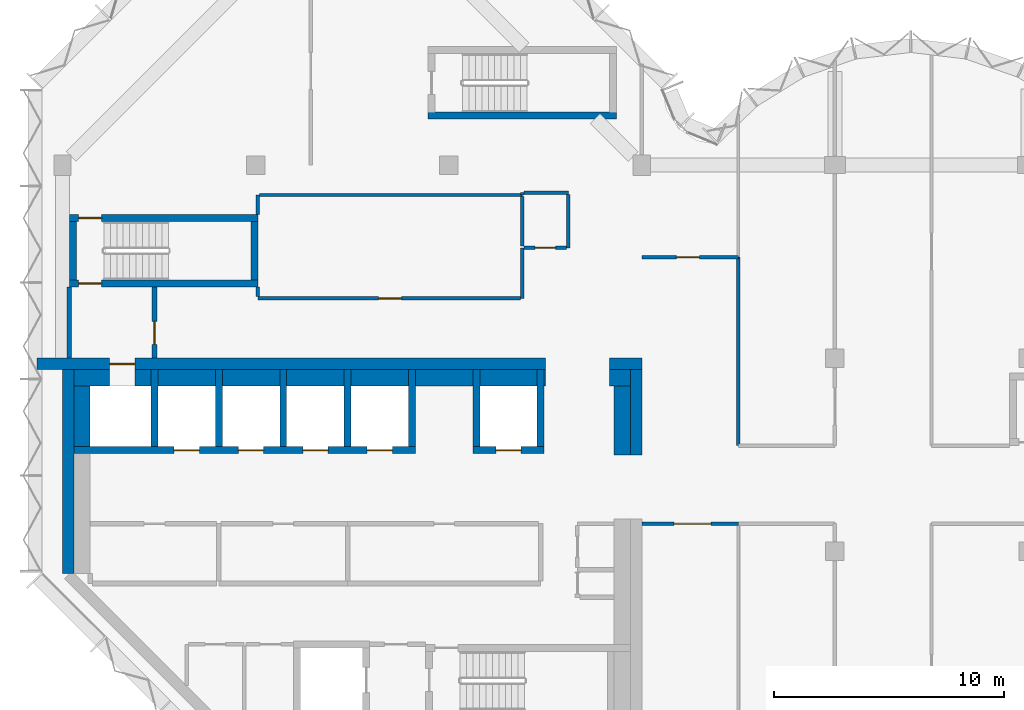
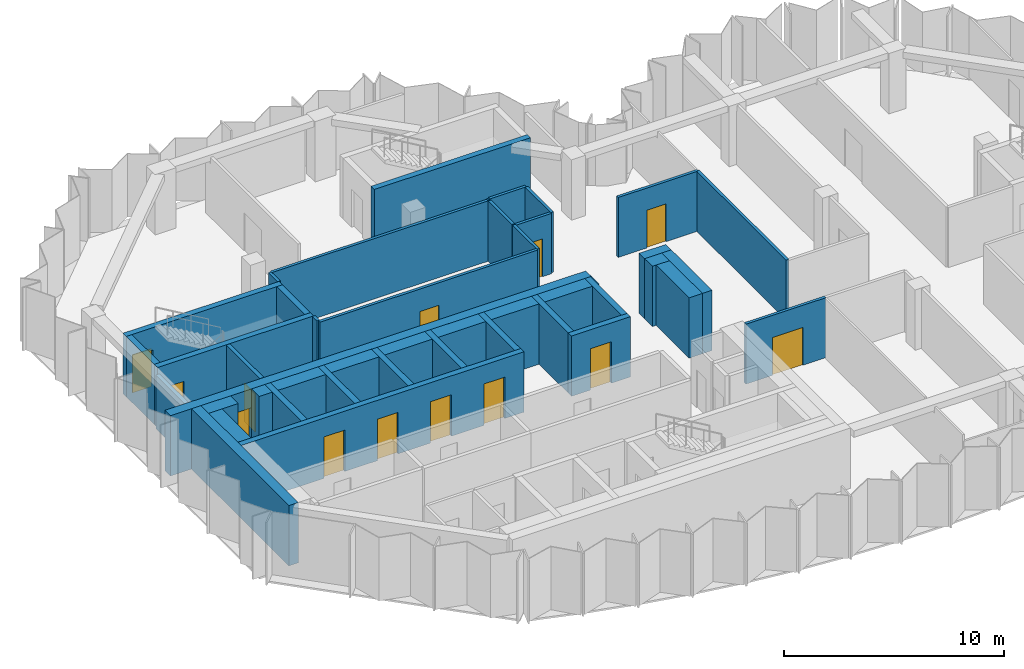
# One storey, part 5 of 9: 45 walls, 13 doors, 13 openings.
"""IFC4 building model written with IfcOpenShell, lengths in metres."""

import ifcopenshell
import ifcopenshell.guid

model = None  # the IFC model being written
_history = None  # IfcOwnerHistory: only IFC2X3 demands one
_inside = {}  # id of a spatial element -> (the spatial element, [elements in it])
_under = {}  # id of a project, library or spatial element -> (it, [spatial elements below it])
_declared = {}  # id of a project -> (the project, [libraries it declares])
_typed = {}  # id of a type object -> (the type object, [elements of that type])
_made_of = {}  # id of a material, layer set ... -> (it, [elements and type objects made of it])


def new_model(schema):
    """Start an empty IFC model of exactly this schema.

    Asked for "IFC4X3", IfcOpenShell would pick the latest addendum, in which some entities
    have other attributes; the version numbers below select the first issue.
    IFC2X3 requires an IfcOwnerHistory on every rooted entity: one is made here for all.
    """
    global model, _history
    if schema == "IFC4X3":
        model = ifcopenshell.file(schema_version=(4, 3, 0, 0))
    else:
        model = ifcopenshell.file(schema=schema)
    _inside.clear()
    _under.clear()
    _declared.clear()
    _typed.clear()
    _made_of.clear()
    _history = None
    if model.schema == "IFC2X3":
        org = make("IfcOrganization", Name="unknown")
        user = make(
            "IfcPersonAndOrganization",
            ThePerson=make("IfcPerson", FamilyName="unknown"),
            TheOrganization=org,
        )
        app = make(
            "IfcApplication",
            ApplicationDeveloper=org,
            Version="unknown",
            ApplicationFullName="unknown",
            ApplicationIdentifier="unknown",
        )
        _history = make(
            "IfcOwnerHistory",
            OwningUser=user,
            OwningApplication=app,
            ChangeAction="ADDED",
            CreationDate=0,
        )
    return model


def make(cls, **values):
    """One entity of the class cls with the attributes given. An attribute that is None is left unset."""
    return model.create_entity(
        cls, **{name: value for name, value in values.items() if value is not None}
    )


def rooted(cls, **values):
    """An entity with a GlobalId (a new one), such as an element, a storey or a relation."""
    return make(cls, GlobalId=ifcopenshell.guid.new(), OwnerHistory=_history, **values)


def si_unit(unit_type, name, prefix=None):
    """IfcSIUnit, for example si_unit("LENGTHUNIT", "METRE", prefix="MILLI")."""
    return make("IfcSIUnit", UnitType=unit_type, Prefix=prefix, Name=name)


def assignment(units):
    """IfcUnitAssignment: the units of a project."""
    return None if units is None else make("IfcUnitAssignment", Units=units)


def point(xyz):
    """IfcCartesianPoint."""
    return None if xyz is None else make("IfcCartesianPoint", Coordinates=xyz)


def direction(xyz):
    """IfcDirection."""
    return None if xyz is None else make("IfcDirection", DirectionRatios=xyz)


def frame(location, z_axis=None, x_axis=None):
    """IfcAxis2Placement3D, a coordinate frame: its origin and axes. An axis left out is left unset."""
    return make(
        "IfcAxis2Placement3D",
        Location=point(location),
        Axis=direction(z_axis),
        RefDirection=direction(x_axis),
    )


def frame_2d(location, x_axis=None):
    """IfcAxis2Placement2D, a coordinate frame in the plane: its origin and x axis."""
    return make(
        "IfcAxis2Placement2D", Location=point(location), RefDirection=direction(x_axis)
    )


def origin():
    """The frame at (0, 0, 0) with its axes left unset."""
    return frame((0.0, 0.0, 0.0))


def place(relative_to, where):
    """IfcLocalPlacement: puts the frame where relative to a parent placement (None: the world)."""
    return make(
        "IfcLocalPlacement", PlacementRelTo=relative_to, RelativePlacement=where
    )


def context(
    kind, dimensions, precision=None, world=None, true_north=None, identifier=None
):
    """IfcGeometricRepresentationContext, for example the 3D "Model" context."""
    return make(
        "IfcGeometricRepresentationContext",
        ContextIdentifier=identifier,
        ContextType=kind,
        CoordinateSpaceDimension=dimensions,
        Precision=precision,
        WorldCoordinateSystem=world,
        TrueNorth=true_north,
    )


def subcontext(parent, identifier, kind, view, scale=None):
    """IfcGeometricRepresentationSubContext, for example "Body" below "Model"."""
    return make(
        "IfcGeometricRepresentationSubContext",
        ContextIdentifier=identifier,
        ContextType=kind,
        ParentContext=parent,
        TargetScale=scale,
        TargetView=view,
    )


def project(units=None, contexts=None):
    """IfcProject with its units and contexts."""
    return rooted(
        "IfcProject",
        Name="project",
        RepresentationContexts=contexts,
        UnitsInContext=assignment(units),
    )


def spatial(cls, under=None, at=None, **own):
    """A site, building, storey or space (cls), placed at a placement, below another one or the project."""
    s = rooted(cls, ObjectPlacement=at, **own)
    if under is not None:
        _under.setdefault(under.id(), (under, []))[1].append(s)
    return s


def profile(cls, at=None, kind="AREA", **sizes):
    """A parametric profile (cls). Its sizes go by their IFC names, for example OverallWidth=200.0."""
    return make(cls, ProfileType=kind, Position=at, **sizes)


def rectangle(**sizes):
    """IfcRectangleProfileDef."""
    return profile("IfcRectangleProfileDef", **sizes)


def extrude(swept, where, along, depth):
    """IfcExtrudedAreaSolid: the profile swept, set in the frame where, extruded along a direction by depth."""
    return make(
        "IfcExtrudedAreaSolid",
        SweptArea=swept,
        Position=where,
        ExtrudedDirection=direction(along),
        Depth=depth,
    )


def shape(context_of_items, identifier, shape_type, items):
    """IfcShapeRepresentation: the items that make up one representation, for example the "Body"."""
    return make(
        "IfcShapeRepresentation",
        ContextOfItems=context_of_items,
        RepresentationIdentifier=identifier,
        RepresentationType=shape_type,
        Items=items,
    )


def material(Name=None, Category=None):
    """IfcMaterial."""
    return make("IfcMaterial", Name=Name, Category=Category)


def layer(
    of_material, thickness, ventilated=None, Name=None, Category=None, Priority=None
):
    """IfcMaterialLayer: one layer of a wall or slab, of a material (None: an air gap)."""
    return make(
        "IfcMaterialLayer",
        Material=of_material,
        LayerThickness=thickness,
        IsVentilated=ventilated,
        Name=Name,
        Category=Category,
        Priority=Priority,
    )


def layer_set(layers, Name=None):
    """IfcMaterialLayerSet."""
    return make("IfcMaterialLayerSet", MaterialLayers=layers, LayerSetName=Name)


def made_of(thing, what):
    """Note that an element or type object is made of a material, layer set ...; save() writes the relation."""
    if what is not None:
        _made_of.setdefault(what.id(), (what, []))[1].append(thing)
    return thing


def type_object(cls, material=None, **own):
    """A type object (cls), such as IfcWallType, which elements share."""
    return made_of(rooted(cls, **own), material)


def element(
    cls,
    number,
    at=None,
    inside=None,
    cuts=None,
    type_object=None,
    material=None,
    context=None,
    identifier="Body",
    shape_type=None,
    held_by="IfcProductDefinitionShape",
    body=None,
    shapes=None,
    **own,
):
    """One element of the class cls, such as IfcWall. Its Tag is "e" and its number.

    at: its placement. inside: the storey or other place that contains it. cuts: it is an
    opening in that element (IfcRelVoidsElement). A single representation is given by context,
    identifier, shape_type and body (its items); several are given by shapes. held_by: the class
    of the entity that holds the representations. save() writes the other relations.
    """
    e = rooted(cls, Tag="e%d" % number, ObjectPlacement=at, **own)
    if body is not None:
        shapes = [shape(context, identifier, shape_type, body)]
    if shapes is not None:
        e.Representation = make(held_by, Representations=shapes)
    if inside is not None:
        _inside.setdefault(inside.id(), (inside, []))[1].append(e)
    if cuts is not None:
        rooted(
            "IfcRelVoidsElement", RelatingBuildingElement=cuts, RelatedOpeningElement=e
        )
    if type_object is not None:
        _typed.setdefault(type_object.id(), (type_object, []))[1].append(e)
    return made_of(e, material)


def fill(opening, filler):
    """IfcRelFillsElement: the door or window that sits in an opening."""
    return rooted(
        "IfcRelFillsElement",
        RelatingOpeningElement=opening,
        RelatedBuildingElement=filler,
    )


def aggregate(whole, parts):
    """IfcRelAggregates: a whole, such as a stair, and the parts it consists of."""
    return rooted("IfcRelAggregates", RelatingObject=whole, RelatedObjects=parts)


def save(model, path):
    """Write the relations noted so far, then the file.

    IfcRelAggregates (storeys below a building ...), IfcRelContainedInSpatialStructure (elements
    in a storey), IfcRelDefinesByType, IfcRelAssociatesMaterial and IfcRelDeclares: one each for
    every whole, place, type object, material and project.
    """
    for whole, parts in _under.values():
        aggregate(whole, parts)
    for where, things in _inside.values():
        rooted(
            "IfcRelContainedInSpatialStructure",
            RelatedElements=things,
            RelatingStructure=where,
        )
    for kind, things in _typed.values():
        rooted("IfcRelDefinesByType", RelatedObjects=things, RelatingType=kind)
    for what, things in _made_of.values():
        rooted("IfcRelAssociatesMaterial", RelatedObjects=things, RelatingMaterial=what)
    for by, libraries in _declared.values():
        rooted("IfcRelDeclares", RelatingContext=by, RelatedDefinitions=libraries)
    model.write(path)


model = new_model("IFC4")

# Units and contexts
model_context = context("Model", 3, precision=1e-05, world=origin(), true_north=direction((0.0, 1.0)))
body_context = subcontext(model_context, "Body", "Model", "MODEL_VIEW")
ifc_project = project(units=[si_unit("LENGTHUNIT", "METRE"), si_unit("AREAUNIT", "SQUARE_METRE"), si_unit("VOLUMEUNIT", "CUBIC_METRE"), si_unit("PLANEANGLEUNIT", "RADIAN"), si_unit("MASSUNIT", "GRAM", prefix="KILO")], contexts=[model_context])

# Site, building, storey
site_placement = place(None, origin())
site = spatial("IfcSite", under=ifc_project, at=site_placement, CompositionType="ELEMENT")
building_placement = place(site_placement, origin())
building = spatial("IfcBuilding", under=site, at=building_placement, Name="Brevane Broadcast Tower", CompositionType="ELEMENT")
storey_placement = place(building_placement, frame((0.0, 0.0, 215.699951171875)))
storey = spatial("IfcBuildingStorey", under=building, at=storey_placement, Name="L54", CompositionType="ELEMENT", Elevation=215.699951171875)

# Walls
ifc_material_1 = material(Name="Concrete C32/40", Category="concrete")
ifc_layer_1 = layer(ifc_material_1, 0.699951171875)
ifc_layer_set_1 = layer_set([ifc_layer_1], Name="Core chase wall 700 mm")
wall_type_1 = type_object("IfcWallType", Name="Core chase wall 700 mm", PredefinedType="PARTITIONING", material=ifc_layer_set_1)
wall_1_placement = place(storey_placement, frame((24.35009765625, 12.60009765625, 0.0), z_axis=(0.0, 0.0, 1.0), x_axis=(0.0, 1.0, 0.0)))
element("IfcWall", 1, at=wall_1_placement, inside=storey, type_object=wall_type_1, Name="L54 chase wall LE2", PredefinedType="PARTITIONING", context=body_context, shape_type="SweptSolid", body=[
    extrude(rectangle(XDim=3.0, YDim=0.699951171875, at=frame_2d((1.5, 0.0))), origin(), (0.0, 0.0, 1.0), 3.35009765625),
])
wall_2_placement = place(storey_placement, frame((0.5, 15.949951171875, 0.0), z_axis=(0.0, 0.0, 1.0), x_axis=(1.0, 0.0, 0.0)))
element("IfcWall", 2, at=wall_2_placement, inside=storey, type_object=wall_type_1, Name="L54 chase wall LN0", PredefinedType="PARTITIONING", context=body_context, shape_type="SweptSolid", body=[
    extrude(rectangle(XDim=1.550048828125, YDim=0.699951171875, at=frame_2d((0.77490234375, 0.0))), origin(), (0.0, 0.0, 1.0), 3.35009765625),
])
wall_3_placement = place(storey_placement, frame((23.800048828125, 15.949951171875, 0.0), z_axis=(0.0, 0.0, 1.0), x_axis=(1.0, 0.0, 0.0)))
element("IfcWall", 3, at=wall_3_placement, inside=storey, type_object=wall_type_1, Name="L54 chase wall LN2", PredefinedType="PARTITIONING", context=body_context, shape_type="SweptSolid", body=[
    extrude(rectangle(XDim=0.89990234375, YDim=0.699951171875, at=frame_2d((0.449951171875, 0.0))), origin(), (0.0, 0.0, 1.0), 3.35009765625),
])
wall_4_placement = place(storey_placement, frame((0.85009765625, 12.949951171875, 0.0), z_axis=(0.0, 0.0, 1.0), x_axis=(0.0, 1.0, 0.0)))
element("IfcWall", 4, at=wall_4_placement, inside=storey, type_object=wall_type_1, Name="L54 chase wall LW-2", PredefinedType="PARTITIONING", context=body_context, shape_type="SweptSolid", body=[
    extrude(rectangle(XDim=2.650146484375, YDim=0.699951171875, at=frame_2d((1.3251953125, 0.0))), origin(), (0.0, 0.0, 1.0), 3.35009765625),
])
wall_5_placement = place(storey_placement, frame((3.14990234375, 15.949951171875, 0.0), z_axis=(0.0, 0.0, 1.0), x_axis=(1.0, 0.0, 0.0)))
element("IfcWall", 5, at=wall_5_placement, inside=storey, type_object=wall_type_1, Name="L54 chase wall LN1-1", PredefinedType="PARTITIONING", context=body_context, shape_type="SweptSolid", body=[
    extrude(rectangle(XDim=0.7001953125, YDim=0.699951171875, at=frame_2d((0.35009765625, 0.0))), origin(), (0.0, 0.0, 1.0), 3.35009765625),
])
for number, where, z_axis, x_axis, name in (
    (6, (4.14990234375, 15.949951171875, 0.0), (0.0, 0.0, 1.0), (1.0, 0.0, 0.0), "L54 chase wall LN1-2-1"),
    (7, (6.949951171875, 15.949951171875, 0.0), (0.0, 0.0, 1.0), (1.0, 0.0, 0.0), "L54 chase wall LN1-2-2-1"),
    (8, (9.75, 15.949951171875, 0.0), (0.0, 0.0, 1.0), (1.0, 0.0, 0.0), "L54 chase wall LN1-2-2-2-1"),
    (9, (12.550048828125, 15.949951171875, 0.0), (0.0, 0.0, 1.0), (1.0, 0.0, 0.0), "L54 chase wall LN1-2-2-2-2-1"),
    (10, (15.35009765625, 15.949951171875, 0.0), (0.0, 0.0, 1.0), (1.0, 0.0, 0.0), "L54 chase wall LN1-2-2-2-2-2-1"),
    (11, (18.14990234375, 15.949951171875, 0.0), (0.0, 0.0, 1.0), (1.0, 0.0, 0.0), "L54 chase wall LN1-2-2-2-2-2-2-1"),
):
    element("IfcWall", number, at=place(storey_placement, frame(where, z_axis=z_axis, x_axis=x_axis)), inside=storey, type_object=wall_type_1, Name=name, PredefinedType="PARTITIONING", context=body_context, shape_type="SweptSolid", body=[
        extrude(rectangle(XDim=2.5, YDim=0.699951171875, at=frame_2d((1.25, 0.0))), origin(), (0.0, 0.0, 1.0), 3.35009765625),
    ])
wall_6_placement = place(storey_placement, frame((20.949951171875, 15.949951171875, 0.0), z_axis=(0.0, 0.0, 1.0), x_axis=(1.0, 0.0, 0.0)))
element("IfcWall", 12, at=wall_6_placement, inside=storey, type_object=wall_type_1, Name="L54 chase wall LN1-2-2-2-2-2-2-2", PredefinedType="PARTITIONING", context=body_context, shape_type="SweptSolid", body=[
    extrude(rectangle(XDim=0.050048828125, YDim=0.699951171875, at=frame_2d((0.02490234375, 0.0))), origin(), (0.0, 0.0, 1.0), 3.35009765625),
])
ifc_material_2 = material(Name="Gypsum board on steel studs", Category="steel")
ifc_layer_2 = layer(ifc_material_2, 0.14990234375)
ifc_layer_set_2 = layer_set([ifc_layer_2], Name="Core fire partition 150 mm")
wall_type_2 = type_object("IfcWallType", Name="Core fire partition 150 mm", PredefinedType="PARTITIONING", material=ifc_layer_set_2)
wall_7_placement = place(storey_placement, frame((20.0, 21.60009765625, 0.0), z_axis=(0.0, 0.0, 1.0), x_axis=(0.0, -1.0, 0.0)))
element("IfcWall", 13, at=wall_7_placement, inside=storey, type_object=wall_type_2, Name="L54 partition wall P22", PredefinedType="PARTITIONING", context=body_context, shape_type="SweptSolid", body=[
    extrude(rectangle(XDim=2.2001953125, YDim=0.14990234375, at=frame_2d((1.10009765625, 0.0))), origin(), (0.0, 0.0, 1.0), 3.35009765625),
])

# Wall, opening, door
wall_8_placement = place(storey_placement, frame((19.925048828125, 19.39990234375, 0.0), z_axis=(0.0, 0.0, 1.0), x_axis=(-1.0, 0.0, 0.0)))
wall_8 = element("IfcWall", 14, at=wall_8_placement, inside=storey, type_object=wall_type_2, Name="L54 partition wall P23", PredefinedType="PARTITIONING", context=body_context, shape_type="SweptSolid", body=[
    extrude(rectangle(XDim=11.425048828125, YDim=0.14990234375, at=frame_2d((5.71240234375, 0.0))), origin(), (0.0, 0.0, 1.0), 3.35009765625),
])
opening_1_placement = place(wall_8_placement, frame((5.175048828125, 0.0, 0.0)))
opening_1 = element("IfcOpeningElement", 15, at=opening_1_placement, cuts=wall_8, Name="Opening L54-K24", PredefinedType="OPENING", context=body_context, shape_type="SweptSolid", body=[
    extrude(rectangle(XDim=1.0, YDim=2.10009765625, at=frame_2d((0.5, 1.050048828125))), frame((0.0, 0.0849609375, 0.0), z_axis=(0.0, -1.0, 0.0), x_axis=(1.0, 0.0, 0.0)), (0.0, 0.0, 1.0), 0.169921875),
])
ifc_material_3 = material(Name="Steel", Category="steel")
door_type_1 = type_object("IfcDoorType", Name="Service room door 1000 x 2100", OperationType="SINGLE_SWING_LEFT", PredefinedType="DOOR", material=ifc_material_3)
door_1_placement = place(opening_1_placement, origin())
door_1 = element("IfcDoor", 16, at=door_1_placement, inside=storey, type_object=door_type_1, Name="Door L54-K24", OperationType="SINGLE_SWING_LEFT", OverallHeight=2.10009765625, OverallWidth=1.0, PredefinedType="DOOR", context=body_context, shape_type="SweptSolid", body=[
    extrude(rectangle(XDim=1.0, YDim=2.10009765625, at=frame_2d((0.5, 1.050048828125))), frame((0.0, 0.02490234375, 0.0), z_axis=(0.0, -1.0, 0.0), x_axis=(1.0, 0.0, 0.0)), (0.0, 0.0, 1.0), 0.050048828125),
])
fill(opening_1, door_1)

# Walls
wall_9_placement = place(storey_placement, frame((8.5, 19.47509765625, 0.0), z_axis=(0.0, 0.0, 1.0), x_axis=(0.0, 1.0, 0.0)))
element("IfcWall", 17, at=wall_9_placement, inside=storey, type_object=wall_type_2, Name="L54 partition wall P24", PredefinedType="PARTITIONING", context=body_context, shape_type="SweptSolid", body=[
    extrude(rectangle(XDim=0.412841796875, YDim=0.14990234375, at=frame_2d((0.20654296875, 0.0))), origin(), (0.0, 0.0, 1.0), 3.35009765625),
])
wall_10_placement = place(storey_placement, frame((8.5, 23.06201171875, 0.0), z_axis=(0.0, 0.0, 1.0), x_axis=(0.0, 1.0, 0.0)))
element("IfcWall", 18, at=wall_10_placement, inside=storey, type_object=wall_type_2, Name="L54 partition wall P25", PredefinedType="PARTITIONING", context=body_context, shape_type="SweptSolid", body=[
    extrude(rectangle(XDim=0.837890625, YDim=0.14990234375, at=frame_2d((0.4189453125, 0.0))), origin(), (0.0, 0.0, 1.0), 3.35009765625),
])
wall_11_placement = place(storey_placement, frame((8.574951171875, 23.89990234375, 0.0), z_axis=(0.0, 0.0, 1.0), x_axis=(1.0, 0.0, 0.0)))
element("IfcWall", 19, at=wall_11_placement, inside=storey, type_object=wall_type_2, Name="L54 partition wall P26", PredefinedType="PARTITIONING", context=body_context, shape_type="SweptSolid", body=[
    extrude(rectangle(XDim=11.425048828125, YDim=0.14990234375, at=frame_2d((5.71240234375, 0.0))), origin(), (0.0, 0.0, 1.0), 3.35009765625),
])
wall_12_placement = place(storey_placement, frame((20.0, 23.89990234375, 0.0), z_axis=(0.0, 0.0, 1.0), x_axis=(0.0, 1.0, 0.0)))
element("IfcWall", 20, at=wall_12_placement, inside=storey, type_object=wall_type_2, Name="L54 partition wall P27", PredefinedType="PARTITIONING", context=body_context, shape_type="SweptSolid", body=[
    extrude(rectangle(XDim=0.10009765625, YDim=0.14990234375, at=frame_2d((0.050048828125, 0.0))), origin(), (0.0, 0.0, 1.0), 3.35009765625),
])
wall_13_placement = place(storey_placement, frame((20.074951171875, 24.0, 0.0), z_axis=(0.0, 0.0, 1.0), x_axis=(1.0, 0.0, 0.0)))
element("IfcWall", 21, at=wall_13_placement, inside=storey, type_object=wall_type_2, Name="L54 partition wall P28", PredefinedType="PARTITIONING", context=body_context, shape_type="SweptSolid", body=[
    extrude(rectangle(XDim=1.925048828125, YDim=0.14990234375, at=frame_2d((0.96240234375, 0.0))), origin(), (0.0, 0.0, 1.0), 3.35009765625),
])
wall_14_placement = place(storey_placement, frame((22.0, 23.925048828125, 0.0), z_axis=(0.0, 0.0, 1.0), x_axis=(0.0, -1.0, 0.0)))
element("IfcWall", 22, at=wall_14_placement, inside=storey, type_object=wall_type_2, Name="L54 partition wall P29", PredefinedType="PARTITIONING", context=body_context, shape_type="SweptSolid", body=[
    extrude(rectangle(XDim=2.324951171875, YDim=0.14990234375, at=frame_2d((1.16259765625, 0.0))), origin(), (0.0, 0.0, 1.0), 3.35009765625),
])

# Wall, opening, door
wall_15_placement = place(storey_placement, frame((21.925048828125, 21.60009765625, 0.0), z_axis=(0.0, 0.0, 1.0), x_axis=(-1.0, 0.0, 0.0)))
wall_15 = element("IfcWall", 23, at=wall_15_placement, inside=storey, type_object=wall_type_2, Name="L54 partition wall P30", PredefinedType="PARTITIONING", context=body_context, shape_type="SweptSolid", body=[
    extrude(rectangle(XDim=1.85009765625, YDim=0.14990234375, at=frame_2d((0.925048828125, 0.0))), origin(), (0.0, 0.0, 1.0), 3.35009765625),
])
opening_2_placement = place(wall_15_placement, frame((0.47509765625, 0.0, 0.0)))
opening_2 = element("IfcOpeningElement", 24, at=opening_2_placement, cuts=wall_15, Name="Opening L54-K23", PredefinedType="OPENING", context=body_context, shape_type="SweptSolid", body=[
    extrude(rectangle(XDim=0.89990234375, YDim=2.10009765625, at=frame_2d((0.449951171875, 1.050048828125))), frame((0.0, 0.0849609375, 0.0), z_axis=(0.0, -1.0, 0.0), x_axis=(1.0, 0.0, 0.0)), (0.0, 0.0, 1.0), 0.169921875),
])
ifc_material_4 = material(Name="Timber", Category="wood")
door_type_2 = type_object("IfcDoorType", Name="Toilet door 900 x 2100", OperationType="SINGLE_SWING_LEFT", PredefinedType="DOOR", material=ifc_material_4)
door_2_placement = place(opening_2_placement, origin())
door_2 = element("IfcDoor", 25, at=door_2_placement, inside=storey, type_object=door_type_2, Name="Door L54-K23", OperationType="SINGLE_SWING_RIGHT", OverallHeight=2.10009765625, OverallWidth=0.89990234375, PredefinedType="DOOR", context=body_context, shape_type="SweptSolid", body=[
    extrude(rectangle(XDim=0.89990234375, YDim=2.10009765625, at=frame_2d((0.449951171875, 1.050048828125))), frame((0.0, 0.02490234375, 0.0), z_axis=(0.0, -1.0, 0.0), x_axis=(1.0, 0.0, 0.0)), (0.0, 0.0, 1.0), 0.050048828125),
])
fill(opening_2, door_2)

# Walls
wall_16_placement = place(storey_placement, frame((20.0, 21.675048828125, 0.0), z_axis=(0.0, 0.0, 1.0), x_axis=(0.0, 1.0, 0.0)))
element("IfcWall", 26, at=wall_16_placement, inside=storey, type_object=wall_type_2, Name="L54 partition wall P31", PredefinedType="PARTITIONING", context=body_context, shape_type="SweptSolid", body=[
    extrude(rectangle(XDim=2.14990234375, YDim=0.14990234375, at=frame_2d((1.074951171875, 0.0))), origin(), (0.0, 0.0, 1.0), 3.35009765625),
])
ifc_layer_3 = layer(ifc_material_2, 0.199951171875)
ifc_layer_set_3 = layer_set([ifc_layer_3], Name="Core fire partition 200 mm")
wall_type_3 = type_object("IfcWallType", Name="Core fire partition 200 mm", PredefinedType="PARTITIONING", material=ifc_layer_set_3)
wall_17_placement = place(storey_placement, frame((0.300048828125, 16.81201171875, 0.0), z_axis=(0.0, 0.0, 1.0), x_axis=(0.0, 1.0, 0.0)))
element("IfcWall", 27, at=wall_17_placement, inside=storey, type_object=wall_type_3, Name="L54 partition wall P01", PredefinedType="PARTITIONING", context=body_context, shape_type="SweptSolid", body=[
    extrude(rectangle(XDim=3.075927734375, YDim=0.199951171875, at=frame_2d((1.5380859375, 0.0))), origin(), (0.0, 0.0, 1.0), 2.97998046875),
])

# Wall, opening, door
wall_18_placement = place(storey_placement, frame((4.0, 19.887939453125, 0.0), z_axis=(0.0, 0.0, 1.0), x_axis=(0.0, -1.0, 0.0)))
wall_18 = element("IfcWall", 28, at=wall_18_placement, inside=storey, type_object=wall_type_3, Name="L54 partition wall P02", PredefinedType="PARTITIONING", context=body_context, shape_type="SweptSolid", body=[
    extrude(rectangle(XDim=3.075927734375, YDim=0.199951171875, at=frame_2d((1.5380859375, 0.0))), origin(), (0.0, 0.0, 1.0), 3.35009765625),
])
opening_3_placement = place(wall_18_placement, frame((1.488037109375, 0.0, 0.0)))
opening_3 = element("IfcOpeningElement", 29, at=opening_3_placement, cuts=wall_18, Name="Opening L54-K22", PredefinedType="OPENING", context=body_context, shape_type="SweptSolid", body=[
    extrude(rectangle(XDim=1.0, YDim=2.10009765625, at=frame_2d((0.5, 1.050048828125))), frame((0.0, 0.10986328125, 0.0), z_axis=(0.0, -1.0, 0.0), x_axis=(1.0, 0.0, 0.0)), (0.0, 0.0, 1.0), 0.219970703125),
])
door_type_3 = type_object("IfcDoorType", Name="Stair door 1000 x 2100", OperationType="SINGLE_SWING_LEFT", PredefinedType="DOOR", material=ifc_material_3)
door_3_placement = place(opening_3_placement, origin())
door_3 = element("IfcDoor", 30, at=door_3_placement, inside=storey, type_object=door_type_3, Name="Door L54-K22", OperationType="SINGLE_SWING_LEFT", OverallHeight=2.10009765625, OverallWidth=1.0, PredefinedType="DOOR", context=body_context, shape_type="SweptSolid", body=[
    extrude(rectangle(XDim=1.0, YDim=2.10009765625, at=frame_2d((0.5, 1.050048828125))), frame((0.0, 0.02490234375, 0.0), z_axis=(0.0, -1.0, 0.0), x_axis=(1.0, 0.0, 0.0)), (0.0, 0.0, 1.0), 0.050048828125),
])
fill(opening_3, door_3)

# Wall, openings, doors
ifc_material_5 = material(Name="Concrete C50/60", Category="concrete")
ifc_layer_4 = layer(ifc_material_5, 0.300048828125)
ifc_layer_set_4 = layer_set([ifc_layer_4], Name="Core wall 300 mm C50/60")
wall_type_4 = type_object("IfcWallType", Name="Core wall 300 mm C50/60", PredefinedType="SHEAR", material=ifc_layer_set_4)
wall_19_placement = place(storey_placement, frame((0.5, 12.800048828125, 0.0), z_axis=(0.0, 0.0, 1.0), x_axis=(1.0, 0.0, 0.0)))
wall_19 = element("IfcWall", 31, at=wall_19_placement, inside=storey, type_object=wall_type_4, Name="L54 shaft wall SH-N012-front", PredefinedType="SHEAR", context=body_context, shape_type="SweptSolid", body=[
    extrude(rectangle(XDim=14.85009765625, YDim=0.300048828125, at=frame_2d((7.425048828125, 0.0))), origin(), (0.0, 0.0, 1.0), 3.35009765625),
])
opening_4_placement = place(wall_19_placement, frame((4.35009765625, 0.0, 0.0)))
opening_4 = element("IfcOpeningElement", 32, at=opening_4_placement, cuts=wall_19, Name="Opening LD", PredefinedType="OPENING", context=body_context, shape_type="SweptSolid", body=[
    extrude(rectangle(XDim=1.10009765625, YDim=2.300048828125, at=frame_2d((0.550048828125, 1.14990234375))), frame((0.0, 0.159912109375, 0.0), z_axis=(0.0, -1.0, 0.0), x_axis=(1.0, 0.0, 0.0)), (0.0, 0.0, 1.0), 0.320068359375),
])
opening_5_placement = place(wall_19_placement, frame((7.14990234375, 0.0, 0.0)))
opening_5 = element("IfcOpeningElement", 33, at=opening_5_placement, cuts=wall_19, Name="Opening LD", PredefinedType="OPENING", context=body_context, shape_type="SweptSolid", body=[
    extrude(rectangle(XDim=1.10009765625, YDim=2.300048828125, at=frame_2d((0.550048828125, 1.14990234375))), frame((0.0, 0.159912109375, 0.0), z_axis=(0.0, -1.0, 0.0), x_axis=(1.0, 0.0, 0.0)), (0.0, 0.0, 1.0), 0.320068359375),
])
opening_6_placement = place(wall_19_placement, frame((9.949951171875, 0.0, 0.0)))
opening_6 = element("IfcOpeningElement", 34, at=opening_6_placement, cuts=wall_19, Name="Opening LD", PredefinedType="OPENING", context=body_context, shape_type="SweptSolid", body=[
    extrude(rectangle(XDim=1.10009765625, YDim=2.300048828125, at=frame_2d((0.550048828125, 1.14990234375))), frame((0.0, 0.159912109375, 0.0), z_axis=(0.0, -1.0, 0.0), x_axis=(1.0, 0.0, 0.0)), (0.0, 0.0, 1.0), 0.320068359375),
])
opening_7_placement = place(wall_19_placement, frame((12.75, 0.0, 0.0)))
opening_7 = element("IfcOpeningElement", 35, at=opening_7_placement, cuts=wall_19, Name="Opening LD", PredefinedType="OPENING", context=body_context, shape_type="SweptSolid", body=[
    extrude(rectangle(XDim=1.10009765625, YDim=2.300048828125, at=frame_2d((0.550048828125, 1.14990234375))), frame((0.0, 0.159912109375, 0.0), z_axis=(0.0, -1.0, 0.0), x_axis=(1.0, 0.0, 0.0)), (0.0, 0.0, 1.0), 0.320068359375),
])
ifc_material_6 = material(Name="Stainless steel", Category="steel")
door_type_4 = type_object("IfcDoorType", Name="Lift landing door", OperationType="SLIDING_TO_LEFT", PredefinedType="DOOR", material=ifc_material_6)
door_4_placement = place(opening_4_placement, origin())
door_4 = element("IfcDoor", 36, at=door_4_placement, inside=storey, type_object=door_type_4, Name="Landing door HR1 L54", OperationType="SLIDING_TO_LEFT", OverallHeight=2.300048828125, OverallWidth=1.10009765625, PredefinedType="DOOR", context=body_context, shape_type="SweptSolid", body=[
    extrude(rectangle(XDim=1.10009765625, YDim=2.300048828125, at=frame_2d((0.550048828125, 1.14990234375))), frame((0.0, 0.02490234375, 0.0), z_axis=(0.0, -1.0, 0.0), x_axis=(1.0, 0.0, 0.0)), (0.0, 0.0, 1.0), 0.050048828125),
])
fill(opening_4, door_4)
door_5_placement = place(opening_5_placement, origin())
door_5 = element("IfcDoor", 37, at=door_5_placement, inside=storey, type_object=door_type_4, Name="Landing door HR2 L54", OperationType="SLIDING_TO_LEFT", OverallHeight=2.300048828125, OverallWidth=1.10009765625, PredefinedType="DOOR", context=body_context, shape_type="SweptSolid", body=[
    extrude(rectangle(XDim=1.10009765625, YDim=2.300048828125, at=frame_2d((0.550048828125, 1.14990234375))), frame((0.0, 0.02490234375, 0.0), z_axis=(0.0, -1.0, 0.0), x_axis=(1.0, 0.0, 0.0)), (0.0, 0.0, 1.0), 0.050048828125),
])
fill(opening_5, door_5)
door_6_placement = place(opening_6_placement, origin())
door_6 = element("IfcDoor", 38, at=door_6_placement, inside=storey, type_object=door_type_4, Name="Landing door HR3 L54", OperationType="SLIDING_TO_LEFT", OverallHeight=2.300048828125, OverallWidth=1.10009765625, PredefinedType="DOOR", context=body_context, shape_type="SweptSolid", body=[
    extrude(rectangle(XDim=1.10009765625, YDim=2.300048828125, at=frame_2d((0.550048828125, 1.14990234375))), frame((0.0, 0.02490234375, 0.0), z_axis=(0.0, -1.0, 0.0), x_axis=(1.0, 0.0, 0.0)), (0.0, 0.0, 1.0), 0.050048828125),
])
fill(opening_6, door_6)
door_7_placement = place(opening_7_placement, origin())
door_7 = element("IfcDoor", 39, at=door_7_placement, inside=storey, type_object=door_type_4, Name="Landing door HR4 L54", OperationType="SLIDING_TO_LEFT", OverallHeight=2.300048828125, OverallWidth=1.10009765625, PredefinedType="DOOR", context=body_context, shape_type="SweptSolid", body=[
    extrude(rectangle(XDim=1.10009765625, YDim=2.300048828125, at=frame_2d((0.550048828125, 1.14990234375))), frame((0.0, 0.02490234375, 0.0), z_axis=(0.0, -1.0, 0.0), x_axis=(1.0, 0.0, 0.0)), (0.0, 0.0, 1.0), 0.050048828125),
])
fill(opening_7, door_7)

# Walls
for number, where, z_axis, x_axis, name in (
    (40, (4.0, 12.949951171875, 0.0), (0.0, 0.0, 1.0), (0.0, 1.0, 0.0), "L54 shaft wall SH-N-P040"),
    (41, (6.800048828125, 12.949951171875, 0.0), (0.0, 0.0, 1.0), (0.0, 1.0, 0.0), "L54 shaft wall SH-N-P068"),
    (42, (9.60009765625, 12.949951171875, 0.0), (0.0, 0.0, 1.0), (0.0, 1.0, 0.0), "L54 shaft wall SH-N-P096"),
    (43, (12.39990234375, 12.949951171875, 0.0), (0.0, 0.0, 1.0), (0.0, 1.0, 0.0), "L54 shaft wall SH-N-P124"),
    (44, (15.199951171875, 12.949951171875, 0.0), (0.0, 0.0, 1.0), (0.0, 1.0, 0.0), "L54 shaft wall SH-N-P152"),
):
    element("IfcWall", number, at=place(storey_placement, frame(where, z_axis=z_axis, x_axis=x_axis)), inside=storey, type_object=wall_type_4, Name=name, PredefinedType="SHEAR", context=body_context, shape_type="SweptSolid", body=[
        extrude(rectangle(XDim=3.35009765625, YDim=0.300048828125, at=frame_2d((1.675048828125, 0.0))), origin(), (0.0, 0.0, 1.0), 3.35009765625),
    ])

# Wall, opening, door
wall_20_placement = place(storey_placement, frame((17.85009765625, 12.800048828125, 0.0), z_axis=(0.0, 0.0, 1.0), x_axis=(1.0, 0.0, 0.0)))
wall_20 = element("IfcWall", 45, at=wall_20_placement, inside=storey, type_object=wall_type_4, Name="L54 shaft wall SH-N180-front", PredefinedType="SHEAR", context=body_context, shape_type="SweptSolid", body=[
    extrude(rectangle(XDim=3.099853515625, YDim=0.300048828125, at=frame_2d((1.5498046875, 0.0))), origin(), (0.0, 0.0, 1.0), 3.35009765625),
])
opening_8_placement = place(wall_20_placement, frame((1.0, 0.0, 0.0)))
opening_8 = element("IfcOpeningElement", 46, at=opening_8_placement, cuts=wall_20, Name="Opening LD", PredefinedType="OPENING", context=body_context, shape_type="SweptSolid", body=[
    extrude(rectangle(XDim=1.10009765625, YDim=2.300048828125, at=frame_2d((0.550048828125, 1.14990234375))), frame((0.0, 0.159912109375, 0.0), z_axis=(0.0, -1.0, 0.0), x_axis=(1.0, 0.0, 0.0)), (0.0, 0.0, 1.0), 0.320068359375),
])
door_8_placement = place(opening_8_placement, origin())
door_8 = element("IfcDoor", 47, at=door_8_placement, inside=storey, type_object=door_type_4, Name="Landing door SL1 L54", OperationType="SLIDING_TO_LEFT", OverallHeight=2.300048828125, OverallWidth=1.10009765625, PredefinedType="DOOR", context=body_context, shape_type="SweptSolid", body=[
    extrude(rectangle(XDim=1.10009765625, YDim=2.300048828125, at=frame_2d((0.550048828125, 1.14990234375))), frame((0.0, 0.02490234375, 0.0), z_axis=(0.0, -1.0, 0.0), x_axis=(1.0, 0.0, 0.0)), (0.0, 0.0, 1.0), 0.050048828125),
])
fill(opening_8, door_8)

# Walls
for number, where, z_axis, x_axis, name in (
    (48, (18.0, 12.949951171875, 0.0), (0.0, 0.0, 1.0), (0.0, 1.0, 0.0), "L54 shaft wall SH-N-P180"),
    (49, (20.800048828125, 12.949951171875, 0.0), (0.0, 0.0, 1.0), (0.0, 1.0, 0.0), "L54 shaft wall SH-N-P208"),
):
    element("IfcWall", number, at=place(storey_placement, frame(where, z_axis=z_axis, x_axis=x_axis)), inside=storey, type_object=wall_type_4, Name=name, PredefinedType="SHEAR", context=body_context, shape_type="SweptSolid", body=[
        extrude(rectangle(XDim=3.35009765625, YDim=0.300048828125, at=frame_2d((1.675048828125, 0.0))), origin(), (0.0, 0.0, 1.0), 3.35009765625),
    ])

# Wall, opening, door
wall_21_placement = place(storey_placement, frame((8.5, 20.050048828125, 0.0), z_axis=(0.0, 0.0, 1.0), x_axis=(-1.0, 0.0, 0.0)))
wall_21 = element("IfcWall", 50, at=wall_21_placement, inside=storey, type_object=wall_type_4, Name="L54 stair wall ST-1-S", PredefinedType="SHEAR", context=body_context, shape_type="SweptSolid", body=[
    extrude(rectangle(XDim=8.199951171875, YDim=0.300048828125, at=frame_2d((4.10009765625, 0.0))), origin(), (0.0, 0.0, 1.0), 3.35009765625),
])
opening_9_placement = place(wall_21_placement, frame((6.800048828125, 0.0, 0.0)))
opening_9 = element("IfcOpeningElement", 51, at=opening_9_placement, cuts=wall_21, Name="Opening L54-K08", PredefinedType="OPENING", context=body_context, shape_type="SweptSolid", body=[
    extrude(rectangle(XDim=1.0, YDim=2.10009765625, at=frame_2d((0.5, 1.050048828125))), frame((0.0, 0.159912109375, 0.0), z_axis=(0.0, -1.0, 0.0), x_axis=(1.0, 0.0, 0.0)), (0.0, 0.0, 1.0), 0.320068359375),
])
door_9_placement = place(opening_9_placement, origin())
door_9 = element("IfcDoor", 52, at=door_9_placement, inside=storey, type_object=door_type_3, Name="Door L54-K08", OperationType="SINGLE_SWING_LEFT", OverallHeight=2.10009765625, OverallWidth=1.0, PredefinedType="DOOR", context=body_context, shape_type="SweptSolid", body=[
    extrude(rectangle(XDim=1.0, YDim=2.10009765625, at=frame_2d((0.5, 1.050048828125))), frame((0.0, 0.02490234375, 0.0), z_axis=(0.0, -1.0, 0.0), x_axis=(1.0, 0.0, 0.0)), (0.0, 0.0, 1.0), 0.050048828125),
])
fill(opening_9, door_9)

wall_22_placement = place(storey_placement, frame((0.300048828125, 22.89990234375, 0.0), z_axis=(0.0, 0.0, 1.0), x_axis=(1.0, 0.0, 0.0)))
wall_22 = element("IfcWall", 53, at=wall_22_placement, inside=storey, type_object=wall_type_4, Name="L54 stair wall ST-1-N", PredefinedType="SHEAR", context=body_context, shape_type="SweptSolid", body=[
    extrude(rectangle(XDim=8.199951171875, YDim=0.300048828125, at=frame_2d((4.10009765625, 0.0))), origin(), (0.0, 0.0, 1.0), 3.35009765625),
])
opening_10_placement = place(wall_22_placement, frame((0.39990234375, 0.0, 0.0)))
opening_10 = element("IfcOpeningElement", 54, at=opening_10_placement, cuts=wall_22, Name="Opening L54-K09", PredefinedType="OPENING", context=body_context, shape_type="SweptSolid", body=[
    extrude(rectangle(XDim=1.0, YDim=2.10009765625, at=frame_2d((0.5, 1.050048828125))), frame((0.0, 0.159912109375, 0.0), z_axis=(0.0, -1.0, 0.0), x_axis=(1.0, 0.0, 0.0)), (0.0, 0.0, 1.0), 0.320068359375),
])
door_10_placement = place(opening_10_placement, origin())
door_10 = element("IfcDoor", 55, at=door_10_placement, inside=storey, type_object=door_type_3, Name="Door L54-K09", OperationType="SINGLE_SWING_RIGHT", OverallHeight=2.10009765625, OverallWidth=1.0, PredefinedType="DOOR", context=body_context, shape_type="SweptSolid", body=[
    extrude(rectangle(XDim=1.0, YDim=2.10009765625, at=frame_2d((0.5, 1.050048828125))), frame((0.0, 0.02490234375, 0.0), z_axis=(0.0, -1.0, 0.0), x_axis=(1.0, 0.0, 0.0)), (0.0, 0.0, 1.0), 0.050048828125),
])
fill(opening_10, door_10)

# Walls
for number, where, z_axis, x_axis, name in (
    (56, (0.449951171875, 20.199951171875, 0.0), (0.0, 0.0, 1.0), (0.0, 1.0, 0.0), "L54 stair wall ST-1-W"),
    (57, (8.35009765625, 20.199951171875, 0.0), (0.0, 0.0, 1.0), (0.0, 1.0, 0.0), "L54 stair wall ST-1-E"),
):
    element("IfcWall", number, at=place(storey_placement, frame(where, z_axis=z_axis, x_axis=x_axis)), inside=storey, type_object=wall_type_4, Name=name, PredefinedType="SHEAR", context=body_context, shape_type="SweptSolid", body=[
        extrude(rectangle(XDim=2.550048828125, YDim=0.300048828125, at=frame_2d((1.27490234375, 0.0))), origin(), (0.0, 0.0, 1.0), 3.35009765625),
    ])
wall_23_placement = place(storey_placement, frame((15.89990234375, 27.35009765625, 0.0), z_axis=(0.0, 0.0, 1.0), x_axis=(1.0, 0.0, 0.0)))
element("IfcWall", 58, at=wall_23_placement, inside=storey, type_object=wall_type_4, Name="L54 stair wall ST-3-S", PredefinedType="SHEAR", context=body_context, shape_type="SweptSolid", body=[
    extrude(rectangle(XDim=8.2001953125, YDim=0.300048828125, at=frame_2d((4.10009765625, 0.0))), origin(), (0.0, 0.0, 1.0), 3.35009765625),
])

# Wall, opening, door
ifc_layer_5 = layer(ifc_material_5, 0.5)
ifc_layer_set_5 = layer_set([ifc_layer_5], Name="Core wall 500 mm C50/60")
wall_type_5 = type_object("IfcWallType", Name="Core wall 500 mm C50/60", PredefinedType="SHEAR", material=ifc_layer_set_5)
wall_24_placement = place(storey_placement, frame((-1.10009765625, 16.550048828125, 0.0), z_axis=(0.0, 0.0, 1.0), x_axis=(1.0, 0.0, 0.0)))
wall_24 = element("IfcWall", 59, at=wall_24_placement, inside=storey, type_object=wall_type_5, Name="L54 outer wall WN1", PredefinedType="SHEAR", context=body_context, shape_type="SweptSolid", body=[
    extrude(rectangle(XDim=22.10009765625, YDim=0.5, at=frame_2d((11.050048828125, 0.0))), origin(), (0.0, 0.0, 1.0), 3.35009765625),
])
opening_11_placement = place(wall_24_placement, frame((3.14990234375, 0.0, 0.0)))
opening_11 = element("IfcOpeningElement", 60, at=opening_11_placement, cuts=wall_24, Name="Opening LD", PredefinedType="OPENING", context=body_context, shape_type="SweptSolid", body=[
    extrude(rectangle(XDim=1.10009765625, YDim=2.300048828125, at=frame_2d((0.550048828125, 1.14990234375))), frame((0.0, 0.260009765625, 0.0), z_axis=(0.0, -1.0, 0.0), x_axis=(1.0, 0.0, 0.0)), (0.0, 0.0, 1.0), 0.52001953125),
])
door_11_placement = place(opening_11_placement, origin())
door_11 = element("IfcDoor", 61, at=door_11_placement, inside=storey, type_object=door_type_4, Name="Landing door FF1 L54", OperationType="SLIDING_TO_LEFT", OverallHeight=2.300048828125, OverallWidth=1.10009765625, PredefinedType="DOOR", context=body_context, shape_type="SweptSolid", body=[
    extrude(rectangle(XDim=1.10009765625, YDim=2.300048828125, at=frame_2d((0.550048828125, 1.14990234375))), frame((0.0, 0.02490234375, 0.0), z_axis=(0.0, -1.0, 0.0), x_axis=(1.0, 0.0, 0.0)), (0.0, 0.0, 1.0), 0.050048828125),
])
fill(opening_11, door_11)

# Walls
wall_25_placement = place(storey_placement, frame((23.800048828125, 16.550048828125, 0.0), z_axis=(0.0, 0.0, 1.0), x_axis=(1.0, 0.0, 0.0)))
element("IfcWall", 62, at=wall_25_placement, inside=storey, type_object=wall_type_5, Name="L54 outer wall WN2", PredefinedType="SHEAR", context=body_context, shape_type="SweptSolid", body=[
    extrude(rectangle(XDim=1.39990234375, YDim=0.5, at=frame_2d((0.699951171875, 0.0))), origin(), (0.0, 0.0, 1.0), 3.35009765625),
])
wall_26_placement = place(storey_placement, frame((0.25, 7.436279296875, 0.0), z_axis=(0.0, 0.0, 1.0), x_axis=(0.0, 1.0, 0.0)))
element("IfcWall", 63, at=wall_26_placement, inside=storey, type_object=wall_type_5, Name="L54 outer wall WW", PredefinedType="SHEAR", context=body_context, shape_type="SweptSolid", body=[
    extrude(rectangle(XDim=8.86376953125, YDim=0.5, at=frame_2d((4.431884765625, 0.0))), origin(), (0.0, 0.0, 1.0), 3.35009765625),
])
wall_27_placement = place(storey_placement, frame((24.949951171875, 12.60009765625, 0.0), z_axis=(0.0, 0.0, 1.0), x_axis=(0.0, 1.0, 0.0)))
element("IfcWall", 64, at=wall_27_placement, inside=storey, type_object=wall_type_5, Name="L54 outer wall WE2", PredefinedType="SHEAR", context=body_context, shape_type="SweptSolid", body=[
    extrude(rectangle(XDim=3.699951171875, YDim=0.5, at=frame_2d((1.85009765625, 0.0))), origin(), (0.0, 0.0, 1.0), 3.35009765625),
])

# Wall, opening, door
ifc_material_7 = material(Name="Gypsum board partition")
ifc_layer_6 = layer(ifc_material_7, 0.14990234375)
ifc_layer_set_6 = layer_set([ifc_layer_6], Name="PARTITION 150 EI 60")
wall_type_6 = type_object("IfcWallType", Name="PARTITION 150 EI 60", PredefinedType="PARTITIONING", material=ifc_layer_set_6)
wall_28_placement = place(storey_placement, frame((25.199951171875, 21.199951171875, 0.0), z_axis=(0.0, 0.0, 1.0), x_axis=(1.0, 0.0, 0.0)))
wall_28 = element("IfcWall", 65, at=wall_28_placement, inside=storey, type_object=wall_type_6, Name="Partition G16-001", PredefinedType="PARTITIONING", context=body_context, shape_type="SweptSolid", body=[
    extrude(rectangle(XDim=4.199951171875, YDim=0.14990234375, at=frame_2d((2.10009765625, 0.0))), origin(), (0.0, 0.0, 1.0), 3.330078125),
])
opening_12_placement = place(wall_28_placement, frame((1.5, 0.0, 0.0)))
opening_12 = element("IfcOpeningElement", 66, at=opening_12_placement, cuts=wall_28, Name="Opening D27-001", PredefinedType="OPENING", context=body_context, shape_type="SweptSolid", body=[
    extrude(rectangle(XDim=1.0, YDim=2.10009765625, at=frame_2d((0.5, 1.050048828125))), frame((0.0, 0.0849609375, 0.0), z_axis=(0.0, -1.0, 0.0), x_axis=(1.0, 0.0, 0.0)), (0.0, 0.0, 1.0), 0.169921875),
])
ifc_material_8 = material(Name="Fire-rated timber door leaf", Category="wood")
door_type_5 = type_object("IfcDoorType", Name="DOOR SINGLE 1000 FD30S", OperationType="SINGLE_SWING_LEFT", PredefinedType="DOOR", material=ifc_material_8)
door_12_placement = place(opening_12_placement, origin())
door_12 = element("IfcDoor", 67, at=door_12_placement, inside=storey, type_object=door_type_5, Name="Door D27-001", OperationType="SINGLE_SWING_LEFT", OverallHeight=2.10009765625, OverallWidth=1.0, PredefinedType="DOOR", context=body_context, shape_type="SweptSolid", body=[
    extrude(rectangle(XDim=1.0, YDim=2.10009765625, at=frame_2d((0.5, 1.050048828125))), frame((0.0, 0.02490234375, 0.0), z_axis=(0.0, -1.0, 0.0), x_axis=(1.0, 0.0, 0.0)), (0.0, 0.0, 1.0), 0.050048828125),
])
fill(opening_12, door_12)

wall_29_placement = place(storey_placement, frame((29.39990234375, 9.60009765625, 0.0), z_axis=(0.0, 0.0, 1.0), x_axis=(-1.0, 0.0, 0.0)))
wall_29 = element("IfcWall", 68, at=wall_29_placement, inside=storey, type_object=wall_type_6, Name="Partition G16-002", PredefinedType="PARTITIONING", context=body_context, shape_type="SweptSolid", body=[
    extrude(rectangle(XDim=4.199951171875, YDim=0.14990234375, at=frame_2d((2.10009765625, 0.0))), origin(), (0.0, 0.0, 1.0), 3.330078125),
])
opening_13_placement = place(wall_29_placement, frame((1.199951171875, 0.0, 0.0)))
opening_13 = element("IfcOpeningElement", 69, at=opening_13_placement, cuts=wall_29, Name="Opening D27-002", PredefinedType="OPENING", context=body_context, shape_type="SweptSolid", body=[
    extrude(rectangle(XDim=1.60009765625, YDim=2.10009765625, at=frame_2d((0.800048828125, 1.050048828125))), frame((0.0, 0.0849609375, 0.0), z_axis=(0.0, -1.0, 0.0), x_axis=(1.0, 0.0, 0.0)), (0.0, 0.0, 1.0), 0.169921875),
])
door_type_6 = type_object("IfcDoorType", Name="DOOR DOUBLE 1600 FD30S", OperationType="DOUBLE_DOOR_SINGLE_SWING", PredefinedType="DOOR", material=ifc_material_8)
door_13_placement = place(opening_13_placement, origin())
door_13 = element("IfcDoor", 70, at=door_13_placement, inside=storey, type_object=door_type_6, Name="Door D27-002", OperationType="DOUBLE_DOOR_SINGLE_SWING", OverallHeight=2.10009765625, OverallWidth=1.60009765625, PredefinedType="DOOR", context=body_context, shape_type="SweptSolid", body=[
    extrude(rectangle(XDim=1.60009765625, YDim=2.10009765625, at=frame_2d((0.800048828125, 1.050048828125))), frame((0.0, 0.02490234375, 0.0), z_axis=(0.0, -1.0, 0.0), x_axis=(1.0, 0.0, 0.0)), (0.0, 0.0, 1.0), 0.050048828125),
])
fill(opening_13, door_13)

# Wall
wall_30_placement = place(storey_placement, frame((29.39990234375, 21.199951171875, 0.0), z_axis=(0.0, 0.0, 1.0), x_axis=(0.0, -1.0, 0.0)))
element("IfcWall", 71, at=wall_30_placement, inside=storey, type_object=wall_type_6, Name="Partition G16-003", PredefinedType="PARTITIONING", context=body_context, shape_type="SweptSolid", body=[
    extrude(rectangle(XDim=8.199951171875, YDim=0.14990234375, at=frame_2d((4.10009765625, 0.0))), origin(), (0.0, 0.0, 1.0), 3.330078125),
])

save(model, "model.ifc")
